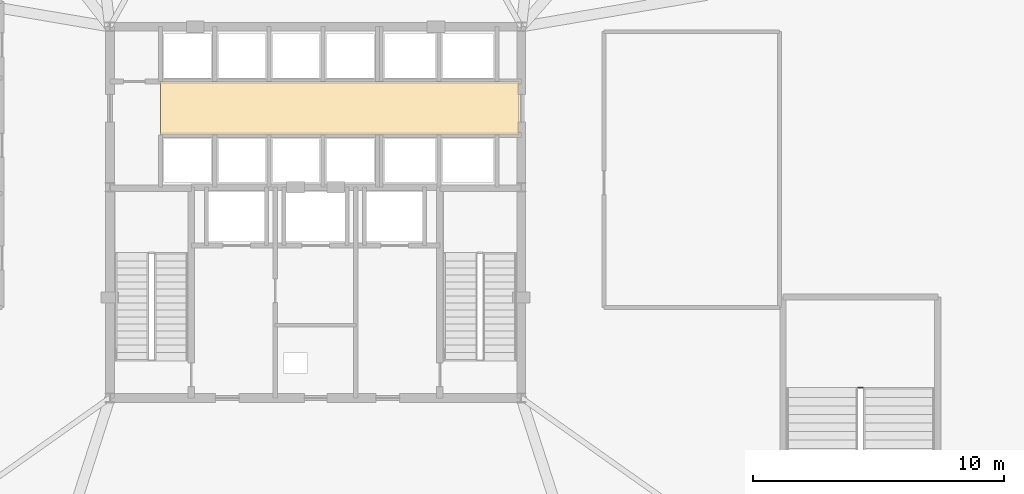
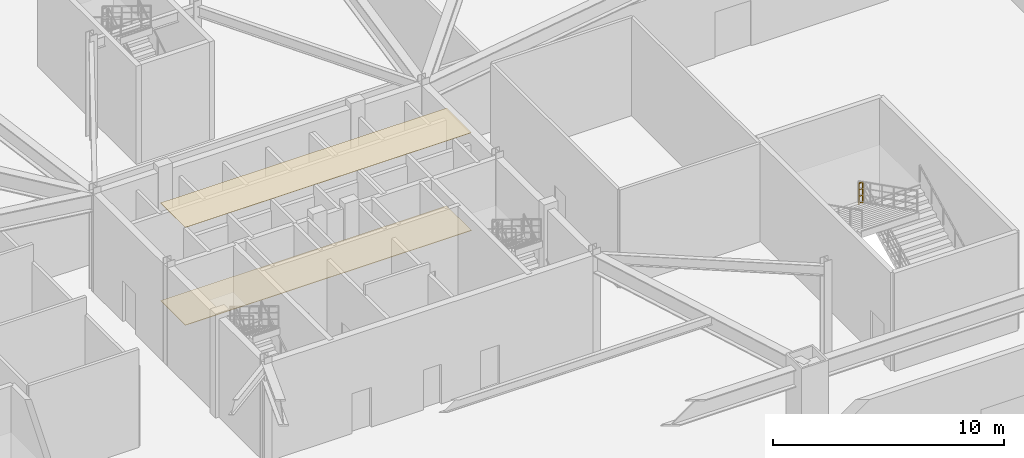
# One storey, part 18 of 20: 2 coverings, 1 railing.
"""IFC4 building model written with IfcOpenShell, lengths in metres."""

from ifc_helpers import new_model, si_unit, direction, frame, origin, origin_2d, place, context, subcontext, project, spatial, polyline, rectangle, outline, extrude, material, layer, layer_set, type_object, element, save


model = new_model("IFC4")

# Units and contexts
model_context = context("Model", 3, precision=1e-05, world=origin(), true_north=direction((0.0, 1.0)))
body_context = subcontext(model_context, "Body", "Model", "MODEL_VIEW")
ifc_project = project(units=[si_unit("LENGTHUNIT", "METRE"), si_unit("AREAUNIT", "SQUARE_METRE"), si_unit("VOLUMEUNIT", "CUBIC_METRE"), si_unit("PLANEANGLEUNIT", "RADIAN"), si_unit("MASSUNIT", "GRAM", prefix="KILO")], contexts=[model_context])

# Site, building, storey
site_placement = place(None, origin())
site = spatial("IfcSite", under=ifc_project, at=site_placement, CompositionType="ELEMENT")
building_placement = place(site_placement, origin())
building = spatial("IfcBuilding", under=site, at=building_placement, Name="Varakhsha Concourse Tower", CompositionType="ELEMENT")
storey_placement = place(building_placement, frame((0.0, 0.0, 11.0)))
storey = spatial("IfcBuildingStorey", under=building, at=storey_placement, Name="L03", CompositionType="ELEMENT", Elevation=11.0)

# Coverings
ifc_material_1 = material(Name="Mineral Fibre Acoustic Lay-In Ceiling Tile 20 mm", Category="mineral")
ifc_layer_1 = layer(ifc_material_1, 0.02001953125, Name="COV-CEIL-20")
ifc_layer_set_1 = layer_set([ifc_layer_1], Name="Mineral Fibre Acoustic Lay-In Ceiling Tile 20 mm")
covering_type_1 = type_object("IfcCoveringType", Name="COV-CEIL-20", PredefinedType="CEILING", material=ifc_layer_set_1)
covering_1_placement = place(storey_placement, frame((0.0, 0.0, 5.159912109375)))
element("IfcCovering", 1, at=covering_1_placement, inside=storey, type_object=covering_type_1, Name="L03 Lift Lobby Acoustic Ceiling", PredefinedType="CEILING", context=body_context, shape_type="SweptSolid", body=[
    extrude(outline(polyline([(33.820068359375, 26.8798828125), (48.10009765625, 26.8798828125), (48.10009765625, 29.02001953125), (33.820068359375, 29.02001953125), (33.820068359375, 26.8798828125)])), origin(), (0.0, 0.0, 1.0), 0.02001953125),
])
ifc_material_2 = material(Name="Polished Samarkand Aggregate Terrazzo Flooring 25 mm", Category="concrete")
ifc_layer_2 = layer(ifc_material_2, 0.02490234375, Name="COV-FLOOR-25")
ifc_layer_set_2 = layer_set([ifc_layer_2], Name="Polished Samarkand Aggregate Terrazzo Flooring 25 mm")
covering_type_2 = type_object("IfcCoveringType", Name="COV-FLOOR-25", PredefinedType="FLOORING", material=ifc_layer_set_2)
covering_2_placement = place(storey_placement, origin())
element("IfcCovering", 2, at=covering_2_placement, inside=storey, type_object=covering_type_2, Name="L03 Lift Lobby Terrazzo Flooring", PredefinedType="FLOORING", context=body_context, shape_type="SweptSolid", body=[
    extrude(outline(polyline([(33.820068359375, 26.8798828125), (48.10009765625, 26.8798828125), (48.10009765625, 29.02001953125), (33.820068359375, 29.02001953125), (33.820068359375, 26.8798828125)])), origin(), (0.0, 0.0, 1.0), 0.02490234375),
])

# Railing
ifc_material_3 = material(Name="Brushed Austenitic Stainless Steel AISI 316", Category="steel")
railing_type = type_object("IfcRailingType", Name="RL-STAIR-GUARD-1100", PredefinedType="GUARDRAIL", material=ifc_material_3)
railing_placement = place(storey_placement, frame((61.820068359375, 16.81005859375, 2.75)))
element("IfcRailing", 3, at=railing_placement, inside=storey, type_object=railing_type, Name="L03 ST4 stair guard 2", PredefinedType="GUARDRAIL", context=body_context, shape_type="SweptSolid", body=[
    extrude(rectangle(XDim=0.048095703125, YDim=0.048095703125, at=origin_2d()), frame((0.0, 0.0, 1.1259765625), z_axis=(-1.0, 0.0, 0.0), x_axis=(0.0, -1.0, 0.0)), (0.0, 0.0, 1.0), 0.199951171875),
    extrude(rectangle(XDim=0.028076171875, YDim=0.028076171875, at=origin_2d()), frame((0.0, 0.0, 0.080078125), z_axis=(-1.0, 0.0, 0.0), x_axis=(0.0, -1.0, 0.0)), (0.0, 0.0, 1.0), 0.199951171875),
    extrude(rectangle(XDim=0.028076171875, YDim=0.028076171875, at=origin_2d()), frame((0.0, 0.0, 0.43701171875), z_axis=(-1.0, 0.0, 0.0), x_axis=(0.0, -1.0, 0.0)), (0.0, 0.0, 1.0), 0.199951171875),
    extrude(rectangle(XDim=0.028076171875, YDim=0.028076171875, at=origin_2d()), frame((0.0, 0.0, 0.781982421875), z_axis=(-1.0, 0.0, 0.0), x_axis=(0.0, -1.0, 0.0)), (0.0, 0.0, 1.0), 0.199951171875),
    extrude(rectangle(XDim=0.0419921875, YDim=0.0419921875, at=origin_2d()), origin(), (0.0, 0.0, 1.0), 1.101806640625),
    extrude(rectangle(XDim=0.0419921875, YDim=0.0419921875, at=origin_2d()), frame((-0.199951171875, 0.0, 0.0)), (0.0, 0.0, 1.0), 1.101806640625),
])

save(model, "model.ifc")
